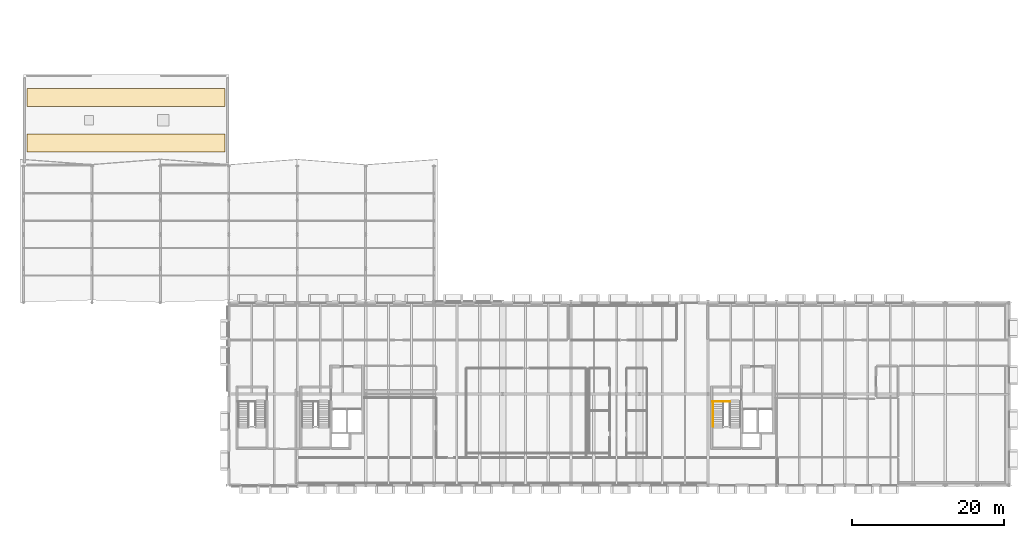
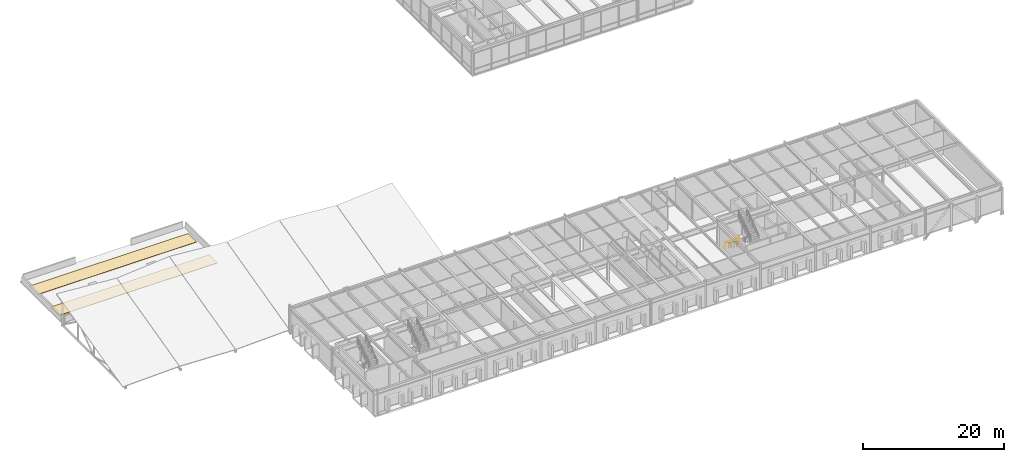
# One storey, part 65 of 67: 2 coverings, 2 railings.
"""IFC4 building model written with IfcOpenShell, lengths in metres."""

import ifcopenshell
import ifcopenshell.guid

model = None  # the IFC model being written
_history = None  # IfcOwnerHistory: only IFC2X3 demands one
_inside = {}  # id of a spatial element -> (the spatial element, [elements in it])
_under = {}  # id of a project, library or spatial element -> (it, [spatial elements below it])
_declared = {}  # id of a project -> (the project, [libraries it declares])
_typed = {}  # id of a type object -> (the type object, [elements of that type])
_made_of = {}  # id of a material, layer set ... -> (it, [elements and type objects made of it])


def new_model(schema):
    """Start an empty IFC model of exactly this schema.

    Asked for "IFC4X3", IfcOpenShell would pick the latest addendum, in which some entities
    have other attributes; the version numbers below select the first issue.
    IFC2X3 requires an IfcOwnerHistory on every rooted entity: one is made here for all.
    """
    global model, _history
    if schema == "IFC4X3":
        model = ifcopenshell.file(schema_version=(4, 3, 0, 0))
    else:
        model = ifcopenshell.file(schema=schema)
    _inside.clear()
    _under.clear()
    _declared.clear()
    _typed.clear()
    _made_of.clear()
    _history = None
    if model.schema == "IFC2X3":
        org = make("IfcOrganization", Name="unknown")
        user = make(
            "IfcPersonAndOrganization",
            ThePerson=make("IfcPerson", FamilyName="unknown"),
            TheOrganization=org,
        )
        app = make(
            "IfcApplication",
            ApplicationDeveloper=org,
            Version="unknown",
            ApplicationFullName="unknown",
            ApplicationIdentifier="unknown",
        )
        _history = make(
            "IfcOwnerHistory",
            OwningUser=user,
            OwningApplication=app,
            ChangeAction="ADDED",
            CreationDate=0,
        )
    return model


def make(cls, **values):
    """One entity of the class cls with the attributes given. An attribute that is None is left unset."""
    return model.create_entity(
        cls, **{name: value for name, value in values.items() if value is not None}
    )


def rooted(cls, **values):
    """An entity with a GlobalId (a new one), such as an element, a storey or a relation."""
    return make(cls, GlobalId=ifcopenshell.guid.new(), OwnerHistory=_history, **values)


def si_unit(unit_type, name, prefix=None):
    """IfcSIUnit, for example si_unit("LENGTHUNIT", "METRE", prefix="MILLI")."""
    return make("IfcSIUnit", UnitType=unit_type, Prefix=prefix, Name=name)


def assignment(units):
    """IfcUnitAssignment: the units of a project."""
    return None if units is None else make("IfcUnitAssignment", Units=units)


def point(xyz):
    """IfcCartesianPoint."""
    return None if xyz is None else make("IfcCartesianPoint", Coordinates=xyz)


def direction(xyz):
    """IfcDirection."""
    return None if xyz is None else make("IfcDirection", DirectionRatios=xyz)


def frame(location, z_axis=None, x_axis=None):
    """IfcAxis2Placement3D, a coordinate frame: its origin and axes. An axis left out is left unset."""
    return make(
        "IfcAxis2Placement3D",
        Location=point(location),
        Axis=direction(z_axis),
        RefDirection=direction(x_axis),
    )


def frame_2d(location, x_axis=None):
    """IfcAxis2Placement2D, a coordinate frame in the plane: its origin and x axis."""
    return make(
        "IfcAxis2Placement2D", Location=point(location), RefDirection=direction(x_axis)
    )


def origin():
    """The frame at (0, 0, 0) with its axes left unset."""
    return frame((0.0, 0.0, 0.0))


def origin_2d():
    """The frame at (0, 0) in the plane with its x axis left unset."""
    return frame_2d((0.0, 0.0))


def place(relative_to, where):
    """IfcLocalPlacement: puts the frame where relative to a parent placement (None: the world)."""
    return make(
        "IfcLocalPlacement", PlacementRelTo=relative_to, RelativePlacement=where
    )


def context(
    kind, dimensions, precision=None, world=None, true_north=None, identifier=None
):
    """IfcGeometricRepresentationContext, for example the 3D "Model" context."""
    return make(
        "IfcGeometricRepresentationContext",
        ContextIdentifier=identifier,
        ContextType=kind,
        CoordinateSpaceDimension=dimensions,
        Precision=precision,
        WorldCoordinateSystem=world,
        TrueNorth=true_north,
    )


def subcontext(parent, identifier, kind, view, scale=None):
    """IfcGeometricRepresentationSubContext, for example "Body" below "Model"."""
    return make(
        "IfcGeometricRepresentationSubContext",
        ContextIdentifier=identifier,
        ContextType=kind,
        ParentContext=parent,
        TargetScale=scale,
        TargetView=view,
    )


def project(units=None, contexts=None):
    """IfcProject with its units and contexts."""
    return rooted(
        "IfcProject",
        Name="project",
        RepresentationContexts=contexts,
        UnitsInContext=assignment(units),
    )


def spatial(cls, under=None, at=None, **own):
    """A site, building, storey or space (cls), placed at a placement, below another one or the project."""
    s = rooted(cls, ObjectPlacement=at, **own)
    if under is not None:
        _under.setdefault(under.id(), (under, []))[1].append(s)
    return s


def polyline(points):
    """IfcPolyline through the points."""
    return make("IfcPolyline", Points=[point(p) for p in points])


def profile(cls, at=None, kind="AREA", **sizes):
    """A parametric profile (cls). Its sizes go by their IFC names, for example OverallWidth=200.0."""
    return make(cls, ProfileType=kind, Position=at, **sizes)


def circle(**sizes):
    """IfcCircleProfileDef."""
    return profile("IfcCircleProfileDef", **sizes)


def outline(outer, holes=None, kind="AREA"):
    """IfcArbitraryClosedProfileDef: a profile drawn as a closed curve; with holes, ...WithVoids."""
    if holes is None:
        return make("IfcArbitraryClosedProfileDef", ProfileType=kind, OuterCurve=outer)
    return make(
        "IfcArbitraryProfileDefWithVoids",
        ProfileType=kind,
        OuterCurve=outer,
        InnerCurves=holes,
    )


def extrude(swept, where, along, depth):
    """IfcExtrudedAreaSolid: the profile swept, set in the frame where, extruded along a direction by depth."""
    return make(
        "IfcExtrudedAreaSolid",
        SweptArea=swept,
        Position=where,
        ExtrudedDirection=direction(along),
        Depth=depth,
    )


def shape(context_of_items, identifier, shape_type, items):
    """IfcShapeRepresentation: the items that make up one representation, for example the "Body"."""
    return make(
        "IfcShapeRepresentation",
        ContextOfItems=context_of_items,
        RepresentationIdentifier=identifier,
        RepresentationType=shape_type,
        Items=items,
    )


def material(Name=None, Category=None):
    """IfcMaterial."""
    return make("IfcMaterial", Name=Name, Category=Category)


def layer(
    of_material, thickness, ventilated=None, Name=None, Category=None, Priority=None
):
    """IfcMaterialLayer: one layer of a wall or slab, of a material (None: an air gap)."""
    return make(
        "IfcMaterialLayer",
        Material=of_material,
        LayerThickness=thickness,
        IsVentilated=ventilated,
        Name=Name,
        Category=Category,
        Priority=Priority,
    )


def layer_set(layers, Name=None):
    """IfcMaterialLayerSet."""
    return make("IfcMaterialLayerSet", MaterialLayers=layers, LayerSetName=Name)


def made_of(thing, what):
    """Note that an element or type object is made of a material, layer set ...; save() writes the relation."""
    if what is not None:
        _made_of.setdefault(what.id(), (what, []))[1].append(thing)
    return thing


def type_object(cls, material=None, **own):
    """A type object (cls), such as IfcWallType, which elements share."""
    return made_of(rooted(cls, **own), material)


def element(
    cls,
    number,
    at=None,
    inside=None,
    cuts=None,
    type_object=None,
    material=None,
    context=None,
    identifier="Body",
    shape_type=None,
    held_by="IfcProductDefinitionShape",
    body=None,
    shapes=None,
    **own,
):
    """One element of the class cls, such as IfcWall. Its Tag is "e" and its number.

    at: its placement. inside: the storey or other place that contains it. cuts: it is an
    opening in that element (IfcRelVoidsElement). A single representation is given by context,
    identifier, shape_type and body (its items); several are given by shapes. held_by: the class
    of the entity that holds the representations. save() writes the other relations.
    """
    e = rooted(cls, Tag="e%d" % number, ObjectPlacement=at, **own)
    if body is not None:
        shapes = [shape(context, identifier, shape_type, body)]
    if shapes is not None:
        e.Representation = make(held_by, Representations=shapes)
    if inside is not None:
        _inside.setdefault(inside.id(), (inside, []))[1].append(e)
    if cuts is not None:
        rooted(
            "IfcRelVoidsElement", RelatingBuildingElement=cuts, RelatedOpeningElement=e
        )
    if type_object is not None:
        _typed.setdefault(type_object.id(), (type_object, []))[1].append(e)
    return made_of(e, material)


def aggregate(whole, parts):
    """IfcRelAggregates: a whole, such as a stair, and the parts it consists of."""
    return rooted("IfcRelAggregates", RelatingObject=whole, RelatedObjects=parts)


def save(model, path):
    """Write the relations noted so far, then the file.

    IfcRelAggregates (storeys below a building ...), IfcRelContainedInSpatialStructure (elements
    in a storey), IfcRelDefinesByType, IfcRelAssociatesMaterial and IfcRelDeclares: one each for
    every whole, place, type object, material and project.
    """
    for whole, parts in _under.values():
        aggregate(whole, parts)
    for where, things in _inside.values():
        rooted(
            "IfcRelContainedInSpatialStructure",
            RelatedElements=things,
            RelatingStructure=where,
        )
    for kind, things in _typed.values():
        rooted("IfcRelDefinesByType", RelatedObjects=things, RelatingType=kind)
    for what, things in _made_of.values():
        rooted("IfcRelAssociatesMaterial", RelatedObjects=things, RelatingMaterial=what)
    for by, libraries in _declared.values():
        rooted("IfcRelDeclares", RelatingContext=by, RelatedDefinitions=libraries)
    model.write(path)


model = new_model("IFC4")

# Units and contexts
model_context = context("Model", 3, precision=1e-05, world=origin(), true_north=direction((0.0, 1.0)))
body_context = subcontext(model_context, "Body", "Model", "MODEL_VIEW")
ifc_project = project(units=[si_unit("LENGTHUNIT", "METRE"), si_unit("AREAUNIT", "SQUARE_METRE"), si_unit("VOLUMEUNIT", "CUBIC_METRE"), si_unit("PLANEANGLEUNIT", "RADIAN"), si_unit("MASSUNIT", "GRAM", prefix="KILO")], contexts=[model_context])

# Site, building, storey
site_placement = place(None, origin())
site = spatial("IfcSite", under=ifc_project, at=site_placement, CompositionType="ELEMENT")
building_placement = place(site_placement, origin())
building = spatial("IfcBuilding", under=site, at=building_placement, Name="Montelvaro Courts of Justice", CompositionType="ELEMENT")
storey_placement = place(building_placement, frame((0.0, 0.0, 18.89990234375)))
storey = spatial("IfcBuildingStorey", under=building, at=storey_placement, Name="L04", CompositionType="ELEMENT", Elevation=18.89990234375)

# Railings
ifc_material_1 = material(Name="Steel S355", Category="steel")
railing_type_1 = type_object("IfcRailingType", Name="InteriorGuard_1100", PredefinedType="BALUSTRADE", material=ifc_material_1)
railing_1_placement = place(storey_placement, frame((108.60009765625, 11.0, 0.0)))
element("IfcRailing", 1, at=railing_1_placement, inside=storey, type_object=railing_type_1, Name="Stair Well Guard GR-02 ST-K2-L03-TLG", PredefinedType="BALUSTRADE", context=body_context, shape_type="SweptSolid", body=[
    extrude(circle(Radius=0.02392578125, at=origin_2d()), frame((0.0, 0.0, 1.076171875), z_axis=(1.0, 0.0, 0.0), x_axis=(0.0, 1.0, 0.0)), (0.0, 0.0, 1.0), 2.289794921875),
    extrude(circle(Radius=0.02099609375, at=origin_2d()), origin(), (0.0, 0.0, 1.0), 1.052001953125),
    extrude(circle(Radius=0.02099609375, at=origin_2d()), frame((0.76318359375, 0.0, 0.0)), (0.0, 0.0, 1.0), 1.052001953125),
    extrude(circle(Radius=0.02099609375, at=origin_2d()), frame((1.526611328125, 0.0, 0.0)), (0.0, 0.0, 1.0), 1.052001953125),
    extrude(circle(Radius=0.02099609375, at=origin_2d()), frame((2.289794921875, 0.0, 0.0)), (0.0, 0.0, 1.0), 1.052001953125),
])
ifc_material_2 = material(Name="Austenitic stainless steel EN 1.4401", Category="steel")
railing_type_2 = type_object("IfcRailingType", Name="StairHandrail_950", PredefinedType="HANDRAIL", material=ifc_material_2)
railing_2_placement = place(storey_placement, frame((108.659912109375, 11.0, 0.0)))
element("IfcRailing", 2, at=railing_2_placement, inside=storey, type_object=railing_type_2, Name="Stair Pitch Handrail HR-01 ST-K2-L04-F1H", PredefinedType="HANDRAIL", context=body_context, shape_type="SweptSolid", body=[
    extrude(circle(Radius=0.02392578125, at=origin_2d()), frame((0.0, 0.0, 0.92578125), z_axis=(0.0, -0.823407228882, 0.567450910146), x_axis=(1.0, 0.0, 0.0)), (0.0, 0.0, 1.0), 3.965087890625),
    extrude(circle(Radius=0.02099609375, at=origin_2d()), origin(), (0.0, 0.0, 1.0), 0.90185546875),
    extrude(circle(Radius=0.02099609375, at=origin_2d()), frame((0.0, -0.816162109375, 0.5625)), (0.0, 0.0, 1.0), 0.90185546875),
    extrude(circle(Radius=0.02099609375, at=origin_2d()), frame((0.0, -1.63232421875, 1.125)), (0.0, 0.0, 1.0), 0.90185546875),
    extrude(circle(Radius=0.02099609375, at=origin_2d()), frame((0.0, -2.44873046875, 1.6875)), (0.0, 0.0, 1.0), 0.90185546875),
    extrude(circle(Radius=0.02099609375, at=origin_2d()), frame((0.0, -3.264892578125, 2.25)), (0.0, 0.0, 1.0), 0.90185546875),
])

# Coverings
ifc_material_3 = material(Name="Standing seam zinc roofing", Category="steel")
ifc_layer = layer(ifc_material_3, 0.050048828125)
ifc_layer_set = layer_set([ifc_layer], Name="Standing seam zinc roofing")
covering_type = type_object("IfcCoveringType", Name="StandingSeamRoofing", PredefinedType="ROOFING", material=ifc_layer_set)
covering_1_placement = place(storey_placement, origin())
element("IfcCovering", 3, at=covering_1_placement, inside=storey, type_object=covering_type, Name="Roof Standing Seam Covering RCV-01 SLB-L04-V3ROOF-1", PredefinedType="ROOFING", context=body_context, shape_type="SweptSolid", body=[
    extrude(outline(polyline([(18.5, 43.800048828125), (44.5, 43.800048828125), (44.5, 46.199951171875), (18.5, 46.199951171875), (18.5, 43.800048828125)])), origin(), (0.0, 0.0, 1.0), 0.050048828125),
])
covering_2_placement = place(storey_placement, origin())
element("IfcCovering", 4, at=covering_2_placement, inside=storey, type_object=covering_type, Name="Roof Standing Seam Covering RCV-01 SLB-L04-V3ROOF-2", PredefinedType="ROOFING", context=body_context, shape_type="SweptSolid", body=[
    extrude(outline(polyline([(18.5, 49.800048828125), (44.5, 49.800048828125), (44.5, 52.199951171875), (18.5, 52.199951171875), (18.5, 49.800048828125)])), origin(), (0.0, 0.0, 1.0), 0.050048828125),
])

save(model, "model.ifc")
